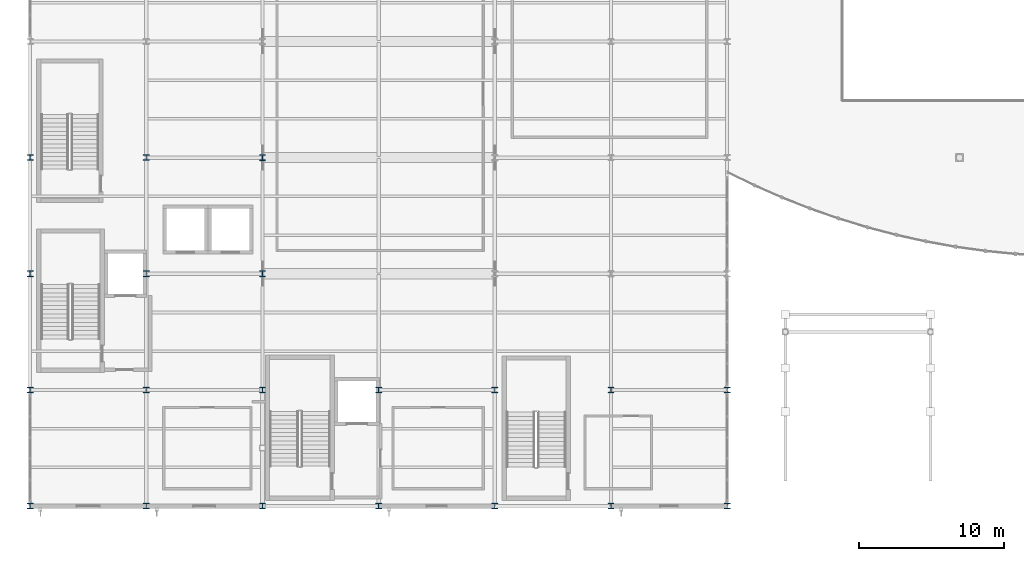
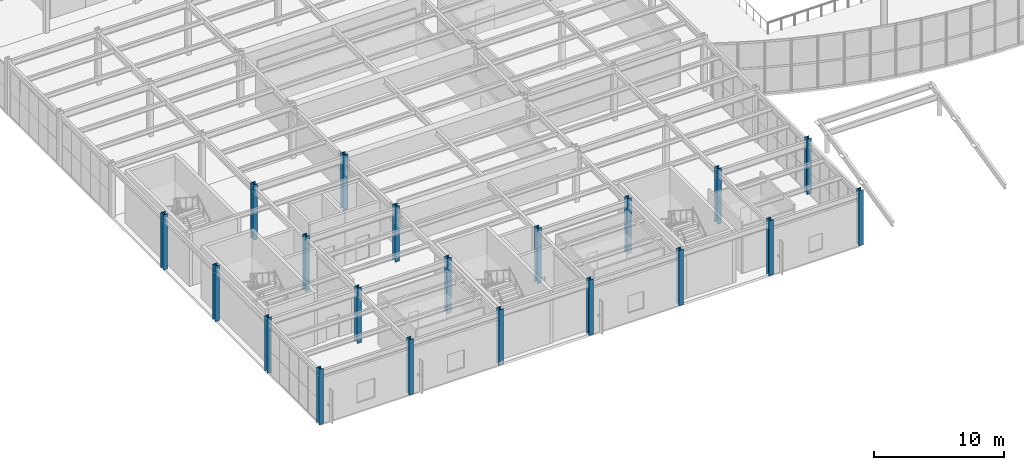
# One storey, part 1 of 77: 20 columns.
"""IFC4 building model written with IfcOpenShell, lengths in metres."""

from ifc_helpers import new_model, si_unit, direction, frame, origin, origin_2d, place, context, subcontext, project, spatial, i_section, extrude, material, material_profile, profile_set, type_object, element, save


model = new_model("IFC4")

# Units and contexts
model_context = context("Model", 3, precision=1e-05, world=origin(), true_north=direction((0.0, 1.0)))
body_context = subcontext(model_context, "Body", "Model", "MODEL_VIEW")
ifc_project = project(units=[si_unit("LENGTHUNIT", "METRE"), si_unit("AREAUNIT", "SQUARE_METRE"), si_unit("VOLUMEUNIT", "CUBIC_METRE"), si_unit("PLANEANGLEUNIT", "RADIAN"), si_unit("MASSUNIT", "GRAM", prefix="KILO")], contexts=[model_context])

# Site, building, storey
site_placement = place(None, origin())
site = spatial("IfcSite", under=ifc_project, at=site_placement, CompositionType="ELEMENT")
building_placement = place(site_placement, origin())
building = spatial("IfcBuilding", under=site, at=building_placement, Name="Drelvath Fold Interchange", CompositionType="ELEMENT")
storey_placement = place(building_placement, frame((0.0, 0.0, 6.0)))
storey = spatial("IfcBuildingStorey", under=building, at=storey_placement, Name="L01", CompositionType="ELEMENT", Elevation=6.0)

# Columns
ifc_material = material(Name="Steel ASTM A992 Grade 50", Category="steel")
ifc_material_profile_1 = material_profile(ifc_material, i_section(OverallWidth=0.39892578125, OverallDepth=0.39306640625, WebThickness=0.022705078125, FlangeThickness=0.03662109375, at=origin_2d()), Name="W14X193")
ifc_profile_set_1 = profile_set([ifc_material_profile_1], Name="Steel ASTM A992 Grade 50")
column_type_1 = type_object("IfcColumnType", Name="COL-W14X193", PredefinedType="COLUMN", material=ifc_profile_set_1)
for number, where, z_axis, x_axis, name in (
    (1, (4.0, 3.0, 0.0), (0.0, 0.0, 1.0), (1.0, 0.0, 0.0), "L01 column (4,3)"),
    (2, (4.0, 11.0, 0.0), (0.0, 0.0, 1.0), (1.0, 0.0, 0.0), "L01 column (4,11)"),
    (3, (4.0, 19.0, 0.0), (0.0, 0.0, 1.0), (1.0, 0.0, 0.0), "L01 column (4,19)"),
    (4, (4.0, 27.0, 0.0), (0.0, 0.0, 1.0), (1.0, 0.0, 0.0), "L01 column (4,27)"),
    (5, (12.0, 3.0, 0.0), (0.0, 0.0, 1.0), (1.0, 0.0, 0.0), "L01 column (12,3)"),
    (6, (12.0, 11.0, 0.0), (0.0, 0.0, 1.0), (1.0, 0.0, 0.0), "L01 column (12,11)"),
    (7, (12.0, 19.0, 0.0), (0.0, 0.0, 1.0), (1.0, 0.0, 0.0), "L01 column (12,19)"),
    (8, (12.0, 27.0, 0.0), (0.0, 0.0, 1.0), (1.0, 0.0, 0.0), "L01 column (12,27)"),
    (9, (20.0, 3.0, 0.0), (0.0, 0.0, 1.0), (1.0, 0.0, 0.0), "L01 column (20,3)"),
    (10, (20.0, 11.0, 0.0), (0.0, 0.0, 1.0), (1.0, 0.0, 0.0), "L01 column (20,11)"),
    (11, (28.0, 3.0, 0.0), (0.0, 0.0, 1.0), (1.0, 0.0, 0.0), "L01 column (28,3)"),
    (12, (28.0, 11.0, 0.0), (0.0, 0.0, 1.0), (1.0, 0.0, 0.0), "L01 column (28,11)"),
    (13, (36.0, 3.0, 0.0), (0.0, 0.0, 1.0), (1.0, 0.0, 0.0), "L01 column (36,3)"),
    (14, (36.0, 11.0, 0.0), (0.0, 0.0, 1.0), (1.0, 0.0, 0.0), "L01 column (36,11)"),
    (15, (44.0, 3.0, 0.0), (0.0, 0.0, 1.0), (1.0, 0.0, 0.0), "L01 column (44,3)"),
    (16, (44.0, 11.0, 0.0), (0.0, 0.0, 1.0), (1.0, 0.0, 0.0), "L01 column (44,11)"),
    (17, (52.0, 3.0, 0.0), (0.0, 0.0, 1.0), (1.0, 0.0, 0.0), "L01 column (52,3)"),
    (18, (52.0, 11.0, 0.0), (0.0, 0.0, 1.0), (1.0, 0.0, 0.0), "L01 column (52,11)"),
):
    element("IfcColumn", number, at=place(storey_placement, frame(where, z_axis=z_axis, x_axis=x_axis)), inside=storey, type_object=column_type_1, Name=name, PredefinedType="COLUMN", context=body_context, shape_type="SweptSolid", body=[
        extrude(i_section(OverallWidth=0.39892578125, OverallDepth=0.39306640625, WebThickness=0.022705078125, FlangeThickness=0.03662109375, at=origin_2d()), origin(), (0.0, 0.0, 1.0), 5.199951171875),
    ])
ifc_material_profile_2 = material_profile(ifc_material, i_section(OverallWidth=0.408935546875, OverallDepth=0.425048828125, WebThickness=0.03271484375, FlangeThickness=0.052490234375, at=origin_2d()), Name="W14X283")
ifc_profile_set_2 = profile_set([ifc_material_profile_2], Name="Steel ASTM A992 Grade 50")
column_type_2 = type_object("IfcColumnType", Name="COL-W14X283", PredefinedType="COLUMN", material=ifc_profile_set_2)
for number, where, z_axis, x_axis, name in (
    (19, (20.0, 19.0, 0.0), (0.0, 0.0, 1.0), (1.0, 0.0, 0.0), "L01 column (20,19)"),
    (20, (20.0, 27.0, 0.0), (0.0, 0.0, 1.0), (1.0, 0.0, 0.0), "L01 column (20,27)"),
):
    element("IfcColumn", number, at=place(storey_placement, frame(where, z_axis=z_axis, x_axis=x_axis)), inside=storey, type_object=column_type_2, Name=name, PredefinedType="COLUMN", context=body_context, shape_type="SweptSolid", body=[
        extrude(i_section(OverallWidth=0.408935546875, OverallDepth=0.425048828125, WebThickness=0.03271484375, FlangeThickness=0.052490234375, at=origin_2d()), origin(), (0.0, 0.0, 1.0), 5.199951171875),
    ])

save(model, "model.ifc")
